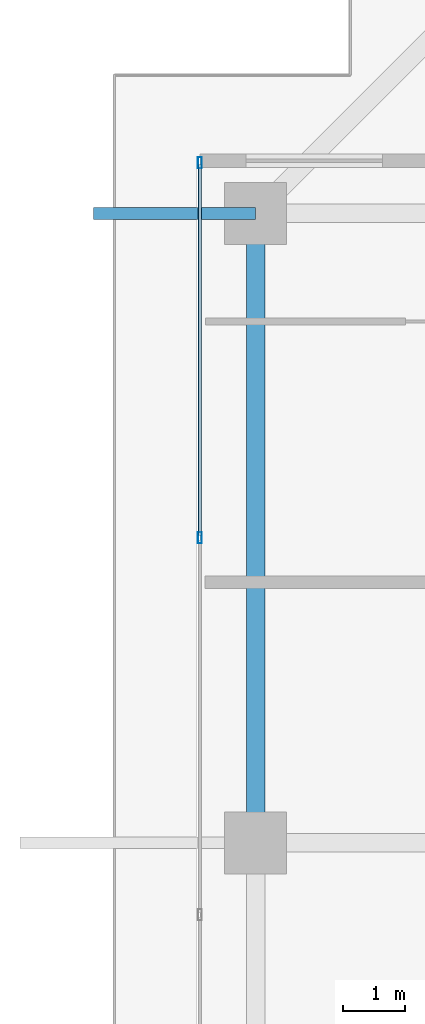
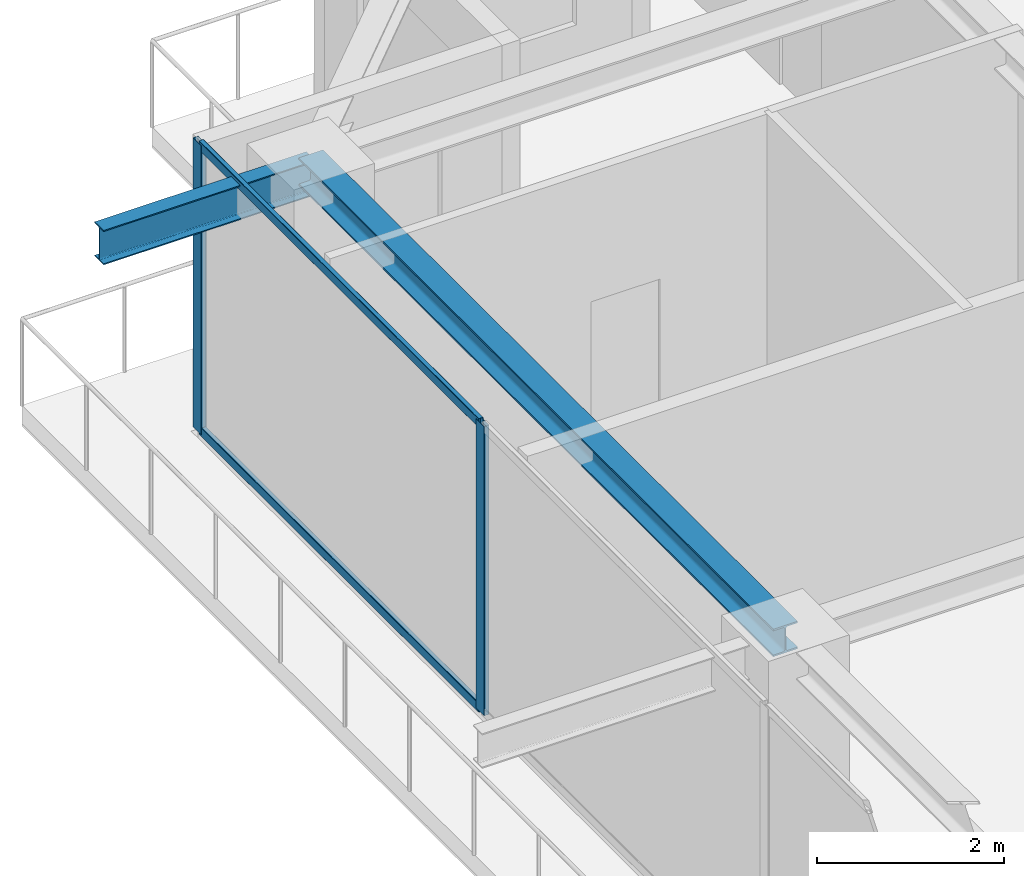
# One storey, part 19 of 39: 4 members, 2 beams, 1 element without a shape of its own.
"""IFC4 building model written with IfcOpenShell, lengths in metres."""

import ifcopenshell
import ifcopenshell.guid

model = None  # the IFC model being written
_history = None  # IfcOwnerHistory: only IFC2X3 demands one
_inside = {}  # id of a spatial element -> (the spatial element, [elements in it])
_under = {}  # id of a project, library or spatial element -> (it, [spatial elements below it])
_declared = {}  # id of a project -> (the project, [libraries it declares])
_typed = {}  # id of a type object -> (the type object, [elements of that type])
_made_of = {}  # id of a material, layer set ... -> (it, [elements and type objects made of it])


def new_model(schema):
    """Start an empty IFC model of exactly this schema.

    Asked for "IFC4X3", IfcOpenShell would pick the latest addendum, in which some entities
    have other attributes; the version numbers below select the first issue.
    IFC2X3 requires an IfcOwnerHistory on every rooted entity: one is made here for all.
    """
    global model, _history
    if schema == "IFC4X3":
        model = ifcopenshell.file(schema_version=(4, 3, 0, 0))
    else:
        model = ifcopenshell.file(schema=schema)
    _inside.clear()
    _under.clear()
    _declared.clear()
    _typed.clear()
    _made_of.clear()
    _history = None
    if model.schema == "IFC2X3":
        org = make("IfcOrganization", Name="unknown")
        user = make(
            "IfcPersonAndOrganization",
            ThePerson=make("IfcPerson", FamilyName="unknown"),
            TheOrganization=org,
        )
        app = make(
            "IfcApplication",
            ApplicationDeveloper=org,
            Version="unknown",
            ApplicationFullName="unknown",
            ApplicationIdentifier="unknown",
        )
        _history = make(
            "IfcOwnerHistory",
            OwningUser=user,
            OwningApplication=app,
            ChangeAction="ADDED",
            CreationDate=0,
        )
    return model


def make(cls, **values):
    """One entity of the class cls with the attributes given. An attribute that is None is left unset."""
    return model.create_entity(
        cls, **{name: value for name, value in values.items() if value is not None}
    )


def rooted(cls, **values):
    """An entity with a GlobalId (a new one), such as an element, a storey or a relation."""
    return make(cls, GlobalId=ifcopenshell.guid.new(), OwnerHistory=_history, **values)


def si_unit(unit_type, name, prefix=None):
    """IfcSIUnit, for example si_unit("LENGTHUNIT", "METRE", prefix="MILLI")."""
    return make("IfcSIUnit", UnitType=unit_type, Prefix=prefix, Name=name)


def assignment(units):
    """IfcUnitAssignment: the units of a project."""
    return None if units is None else make("IfcUnitAssignment", Units=units)


def point(xyz):
    """IfcCartesianPoint."""
    return None if xyz is None else make("IfcCartesianPoint", Coordinates=xyz)


def direction(xyz):
    """IfcDirection."""
    return None if xyz is None else make("IfcDirection", DirectionRatios=xyz)


def frame(location, z_axis=None, x_axis=None):
    """IfcAxis2Placement3D, a coordinate frame: its origin and axes. An axis left out is left unset."""
    return make(
        "IfcAxis2Placement3D",
        Location=point(location),
        Axis=direction(z_axis),
        RefDirection=direction(x_axis),
    )


def frame_2d(location, x_axis=None):
    """IfcAxis2Placement2D, a coordinate frame in the plane: its origin and x axis."""
    return make(
        "IfcAxis2Placement2D", Location=point(location), RefDirection=direction(x_axis)
    )


def origin():
    """The frame at (0, 0, 0) with its axes left unset."""
    return frame((0.0, 0.0, 0.0))


def origin_2d():
    """The frame at (0, 0) in the plane with its x axis left unset."""
    return frame_2d((0.0, 0.0))


def place(relative_to, where):
    """IfcLocalPlacement: puts the frame where relative to a parent placement (None: the world)."""
    return make(
        "IfcLocalPlacement", PlacementRelTo=relative_to, RelativePlacement=where
    )


def context(
    kind, dimensions, precision=None, world=None, true_north=None, identifier=None
):
    """IfcGeometricRepresentationContext, for example the 3D "Model" context."""
    return make(
        "IfcGeometricRepresentationContext",
        ContextIdentifier=identifier,
        ContextType=kind,
        CoordinateSpaceDimension=dimensions,
        Precision=precision,
        WorldCoordinateSystem=world,
        TrueNorth=true_north,
    )


def subcontext(parent, identifier, kind, view, scale=None):
    """IfcGeometricRepresentationSubContext, for example "Body" below "Model"."""
    return make(
        "IfcGeometricRepresentationSubContext",
        ContextIdentifier=identifier,
        ContextType=kind,
        ParentContext=parent,
        TargetScale=scale,
        TargetView=view,
    )


def project(units=None, contexts=None):
    """IfcProject with its units and contexts."""
    return rooted(
        "IfcProject",
        Name="project",
        RepresentationContexts=contexts,
        UnitsInContext=assignment(units),
    )


def spatial(cls, under=None, at=None, **own):
    """A site, building, storey or space (cls), placed at a placement, below another one or the project."""
    s = rooted(cls, ObjectPlacement=at, **own)
    if under is not None:
        _under.setdefault(under.id(), (under, []))[1].append(s)
    return s


def profile(cls, at=None, kind="AREA", **sizes):
    """A parametric profile (cls). Its sizes go by their IFC names, for example OverallWidth=200.0."""
    return make(cls, ProfileType=kind, Position=at, **sizes)


def hollow_rectangle(**sizes):
    """IfcRectangleHollowProfileDef."""
    return profile("IfcRectangleHollowProfileDef", **sizes)


def i_section(**sizes):
    """IfcIShapeProfileDef."""
    return profile("IfcIShapeProfileDef", **sizes)


def extrude(swept, where, along, depth):
    """IfcExtrudedAreaSolid: the profile swept, set in the frame where, extruded along a direction by depth."""
    return make(
        "IfcExtrudedAreaSolid",
        SweptArea=swept,
        Position=where,
        ExtrudedDirection=direction(along),
        Depth=depth,
    )


def shape(context_of_items, identifier, shape_type, items):
    """IfcShapeRepresentation: the items that make up one representation, for example the "Body"."""
    return make(
        "IfcShapeRepresentation",
        ContextOfItems=context_of_items,
        RepresentationIdentifier=identifier,
        RepresentationType=shape_type,
        Items=items,
    )


def source(mapping_origin, context_of_items, identifier, shape_type, items):
    """IfcRepresentationMap: a shape defined once, which mapped items show again and again."""
    return make(
        "IfcRepresentationMap",
        MappingOrigin=mapping_origin,
        MappedRepresentation=shape(context_of_items, identifier, shape_type, items),
    )


def transform(
    local_origin,
    x_axis=None,
    y_axis=None,
    z_axis=None,
    scale=None,
    scale2=None,
    scale3=None,
    uniform=True,
):
    """IfcCartesianTransformationOperator3D, or its non-uniform kind. x_axis, y_axis, z_axis: its Axis1, 2, 3."""
    if uniform:
        return make(
            "IfcCartesianTransformationOperator3D",
            Axis1=direction(x_axis),
            Axis2=direction(y_axis),
            LocalOrigin=point(local_origin),
            Scale=scale,
            Axis3=direction(z_axis),
        )
    return make(
        "IfcCartesianTransformationOperator3DnonUniform",
        Axis1=direction(x_axis),
        Axis2=direction(y_axis),
        LocalOrigin=point(local_origin),
        Scale=scale,
        Axis3=direction(z_axis),
        Scale2=scale2,
        Scale3=scale3,
    )


def mapped(mapping_source, mapping_target):
    """IfcMappedItem: shows the shape of a source again, moved by a transform."""
    return make(
        "IfcMappedItem", MappingSource=mapping_source, MappingTarget=mapping_target
    )


def material(Name=None, Category=None):
    """IfcMaterial."""
    return make("IfcMaterial", Name=Name, Category=Category)


def layer(
    of_material, thickness, ventilated=None, Name=None, Category=None, Priority=None
):
    """IfcMaterialLayer: one layer of a wall or slab, of a material (None: an air gap)."""
    return make(
        "IfcMaterialLayer",
        Material=of_material,
        LayerThickness=thickness,
        IsVentilated=ventilated,
        Name=Name,
        Category=Category,
        Priority=Priority,
    )


def layer_set(layers, Name=None):
    """IfcMaterialLayerSet."""
    return make("IfcMaterialLayerSet", MaterialLayers=layers, LayerSetName=Name)


def material_profile(
    of_material, cross_section, Name=None, Category=None, Priority=None
):
    """IfcMaterialProfile: a cross section and its material."""
    return make(
        "IfcMaterialProfile",
        Name=Name,
        Material=of_material,
        Profile=cross_section,
        Priority=Priority,
        Category=Category,
    )


def profile_set(profiles, Name=None, composite=None):
    """IfcMaterialProfileSet."""
    return make(
        "IfcMaterialProfileSet",
        Name=Name,
        MaterialProfiles=profiles,
        CompositeProfile=composite,
    )


def made_of(thing, what):
    """Note that an element or type object is made of a material, layer set ...; save() writes the relation."""
    if what is not None:
        _made_of.setdefault(what.id(), (what, []))[1].append(thing)
    return thing


def type_object(cls, material=None, **own):
    """A type object (cls), such as IfcWallType, which elements share."""
    return made_of(rooted(cls, **own), material)


def element(
    cls,
    number,
    at=None,
    inside=None,
    cuts=None,
    type_object=None,
    material=None,
    context=None,
    identifier="Body",
    shape_type=None,
    held_by="IfcProductDefinitionShape",
    body=None,
    shapes=None,
    **own,
):
    """One element of the class cls, such as IfcWall. Its Tag is "e" and its number.

    at: its placement. inside: the storey or other place that contains it. cuts: it is an
    opening in that element (IfcRelVoidsElement). A single representation is given by context,
    identifier, shape_type and body (its items); several are given by shapes. held_by: the class
    of the entity that holds the representations. save() writes the other relations.
    """
    e = rooted(cls, Tag="e%d" % number, ObjectPlacement=at, **own)
    if body is not None:
        shapes = [shape(context, identifier, shape_type, body)]
    if shapes is not None:
        e.Representation = make(held_by, Representations=shapes)
    if inside is not None:
        _inside.setdefault(inside.id(), (inside, []))[1].append(e)
    if cuts is not None:
        rooted(
            "IfcRelVoidsElement", RelatingBuildingElement=cuts, RelatedOpeningElement=e
        )
    if type_object is not None:
        _typed.setdefault(type_object.id(), (type_object, []))[1].append(e)
    return made_of(e, material)


def aggregate(whole, parts):
    """IfcRelAggregates: a whole, such as a stair, and the parts it consists of."""
    return rooted("IfcRelAggregates", RelatingObject=whole, RelatedObjects=parts)


def save(model, path):
    """Write the relations noted so far, then the file.

    IfcRelAggregates (storeys below a building ...), IfcRelContainedInSpatialStructure (elements
    in a storey), IfcRelDefinesByType, IfcRelAssociatesMaterial and IfcRelDeclares: one each for
    every whole, place, type object, material and project.
    """
    for whole, parts in _under.values():
        aggregate(whole, parts)
    for where, things in _inside.values():
        rooted(
            "IfcRelContainedInSpatialStructure",
            RelatedElements=things,
            RelatingStructure=where,
        )
    for kind, things in _typed.values():
        rooted("IfcRelDefinesByType", RelatedObjects=things, RelatingType=kind)
    for what, things in _made_of.values():
        rooted("IfcRelAssociatesMaterial", RelatedObjects=things, RelatingMaterial=what)
    for by, libraries in _declared.values():
        rooted("IfcRelDeclares", RelatingContext=by, RelatedDefinitions=libraries)
    model.write(path)


model = new_model("IFC4")

# Units and contexts
model_context = context("Model", 3, precision=1e-05, world=origin(), true_north=direction((0.0, 1.0)))
body_context = subcontext(model_context, "Body", "Model", "MODEL_VIEW")
ifc_project = project(units=[si_unit("LENGTHUNIT", "METRE"), si_unit("AREAUNIT", "SQUARE_METRE"), si_unit("VOLUMEUNIT", "CUBIC_METRE"), si_unit("PLANEANGLEUNIT", "RADIAN"), si_unit("MASSUNIT", "GRAM", prefix="KILO")], contexts=[model_context])

# Site, building, storey
site_placement = place(None, origin())
site = spatial("IfcSite", under=ifc_project, at=site_placement, CompositionType="ELEMENT")
building_placement = place(site_placement, origin())
building = spatial("IfcBuilding", under=site, at=building_placement, Name="Serunith Strait Residences", CompositionType="ELEMENT")
storey_placement = place(building_placement, frame((0.0, 0.0, 329.89990234375)))
storey = spatial("IfcBuildingStorey", under=building, at=storey_placement, Name="L82", CompositionType="ELEMENT", Elevation=329.89990234375)

# Beams
ifc_material_1 = material(Name="Steel S355J2", Category="steel")
ifc_material_profile_1 = material_profile(ifc_material_1, i_section(OverallWidth=0.300048828125, OverallDepth=0.360107421875, WebThickness=0.012451171875, FlangeThickness=0.0224609375, FilletRadius=0.027099609375, at=origin_2d()), Name="HEB 360")
ifc_profile_set_1 = profile_set([ifc_material_profile_1], Name="Steel S355J2")
beam_type_1 = type_object("IfcBeamType", Name="BM-HEB360", PredefinedType="BEAM", material=ifc_profile_set_1)
shared_shape_1 = source(origin(), body_context, "Body", "SweptSolid", [
    extrude(i_section(OverallWidth=0.300048828125, OverallDepth=0.360107421875, WebThickness=0.012451171875, FlangeThickness=0.0224609375, FilletRadius=0.027099609375, at=origin_2d()), origin(), (0.0, 0.0, 1.0), 10.150146484375),
])
beam_1_placement = place(storey_placement, frame((10.10009765625, 39.550048828125, 3.607177734375), z_axis=(0.0, -1.0, 0.0), x_axis=(1.0, 0.0, 0.0)))
element("IfcBeam", 1, at=beam_1_placement, inside=storey, type_object=beam_type_1, Name="L82 Perimeter Ring Beam 13", PredefinedType="BEAM", context=body_context, shape_type="MappedRepresentation", body=[
    mapped(shared_shape_1, transform((0.0, 0.0, 0.0), scale=1.0)),
])
ifc_material_profile_2 = material_profile(ifc_material_1, i_section(OverallWidth=0.18994140625, OverallDepth=0.449951171875, WebThickness=0.009521484375, FlangeThickness=0.0146484375, FilletRadius=0.02099609375, at=origin_2d()), Name="IPE 450")
ifc_profile_set_2 = profile_set([ifc_material_profile_2], Name="Steel S355J2")
beam_type_2 = type_object("IfcBeamType", Name="BM-IPE450", PredefinedType="JOIST", material=ifc_profile_set_2)
shared_shape_2 = source(origin(), body_context, "Body", "SweptSolid", [
    extrude(i_section(OverallWidth=0.18994140625, OverallDepth=0.449951171875, WebThickness=0.009521484375, FlangeThickness=0.0146484375, FilletRadius=0.02099609375, at=origin_2d()), origin(), (0.0, 0.0, 1.0), 2.614013671875),
])
beam_2_placement = place(storey_placement, frame((10.10009765625, 39.550048828125, 3.531982421875), z_axis=(-1.0, 0.0, 0.0), x_axis=(0.0, -1.0, 0.0)))
element("IfcBeam", 2, at=beam_2_placement, inside=storey, type_object=beam_type_2, Name="L83 Cantilevered Balcony Rib TC-W4", PredefinedType="JOIST", context=body_context, shape_type="MappedRepresentation", body=[
    mapped(shared_shape_2, transform((0.0, 0.0, 0.0), scale=1.0)),
])

# Curtain wall, members
ifc_material_2 = material(Name="Brushed Stainless-Silver Aluminium", Category="aluminium")
ifc_layer = layer(ifc_material_2, 0.199951171875, Name="Brushed Stainless-Silver Aluminium")
ifc_layer_set = layer_set([ifc_layer], Name="Brushed Stainless-Silver Aluminium")
curtain_wall_type = type_object("IfcCurtainWallType", Name="CW-SYS5", PredefinedType="NOTDEFINED", material=ifc_layer_set)
curtain_wall_placement = place(storey_placement, origin())
curtain_wall = element("IfcCurtainWall", 3, at=curtain_wall_placement, inside=storey, type_object=curtain_wall_type, Name="L82 W Unitised Fritted Curtain Wall", PredefinedType="NOTDEFINED")
ifc_material_profile_3 = material_profile(ifc_material_2, hollow_rectangle(XDim=0.06494140625, YDim=0.179931640625, WallThickness=0.00341796875, InnerFilletRadius=0.00537109375, OuterFilletRadius=0.0087890625, at=origin_2d()), Name="ALU 180x65x3.5")
ifc_profile_set_3 = profile_set([ifc_material_profile_3], Name="Brushed Stainless-Silver Aluminium")
member_type_1 = type_object("IfcMemberType", Name="CW-SYS5-MULL", PredefinedType="MULLION", material=ifc_profile_set_3)
shared_shape_3 = source(origin(), body_context, "Body", "SweptSolid", [
    extrude(hollow_rectangle(XDim=0.06494140625, YDim=0.179931640625, WallThickness=0.00341796875, InnerFilletRadius=0.00537109375, OuterFilletRadius=0.0087890625, at=origin_2d()), origin(), (0.0, 0.0, 1.0), 3.775146484375),
])
member_1_placement = place(storey_placement, frame((9.199951171875, 40.367431640625, 0.0), z_axis=(0.0, 0.0, 1.0), x_axis=(1.0, 0.0, 0.0)))
member_1 = element("IfcMember", 4, at=member_1_placement, type_object=member_type_1, Name="CW-5 mullion 1", PredefinedType="MULLION", context=body_context, shape_type="MappedRepresentation", body=[
    mapped(shared_shape_3, transform((0.0, 0.0, 0.0), scale=1.0)),
])
member_2_placement = place(storey_placement, frame((9.199951171875, 34.320068359375, 0.0), z_axis=(0.0, 0.0, 1.0), x_axis=(1.0, 0.0, 0.0)))
member_2 = element("IfcMember", 5, at=member_2_placement, type_object=member_type_1, Name="CW-5 mullion 2", PredefinedType="MULLION", context=body_context, shape_type="MappedRepresentation", body=[
    mapped(shared_shape_3, transform((0.0, 0.0, 0.0), scale=1.0)),
])
ifc_material_profile_4 = material_profile(ifc_material_2, hollow_rectangle(XDim=0.06005859375, YDim=0.1201171875, WallThickness=0.00341796875, InnerFilletRadius=0.00537109375, OuterFilletRadius=0.0087890625, at=origin_2d()), Name="ALU 120x60x3.5")
ifc_profile_set_4 = profile_set([ifc_material_profile_4], Name="Brushed Stainless-Silver Aluminium")
member_type_2 = type_object("IfcMemberType", Name="CW-SYS5-TRAN", PredefinedType="USERDEFINED", material=ifc_profile_set_4)
shared_shape_4 = source(origin(), body_context, "Body", "SweptSolid", [
    extrude(hollow_rectangle(XDim=0.06005859375, YDim=0.1201171875, WallThickness=0.00341796875, InnerFilletRadius=0.00537109375, OuterFilletRadius=0.0087890625, at=origin_2d()), origin(), (0.0, 0.0, 1.0), 5.982421875),
])
member_3_placement = place(storey_placement, frame((9.199951171875, 40.3349609375, 0.030029296875), z_axis=(0.0, -1.0, 0.0), x_axis=(1.0, 0.0, 0.0)))
member_3 = element("IfcMember", 6, at=member_3_placement, type_object=member_type_2, Name="CW-5 transom 1.1", ObjectType="TRANSOM", PredefinedType="USERDEFINED", context=body_context, shape_type="MappedRepresentation", body=[
    mapped(shared_shape_4, transform((0.0, 0.0, 0.0), scale=1.0)),
])
member_4_placement = place(storey_placement, frame((9.199951171875, 40.3349609375, 3.7451171875), z_axis=(0.0, -1.0, 0.0), x_axis=(1.0, 0.0, 0.0)))
member_4 = element("IfcMember", 7, at=member_4_placement, type_object=member_type_2, Name="CW-5 transom 1.2", ObjectType="TRANSOM", PredefinedType="USERDEFINED", context=body_context, shape_type="MappedRepresentation", body=[
    mapped(shared_shape_4, transform((0.0, 0.0, 0.0), scale=1.0)),
])
aggregate(curtain_wall, [member_1, member_2, member_3, member_4])

save(model, "model.ifc")
